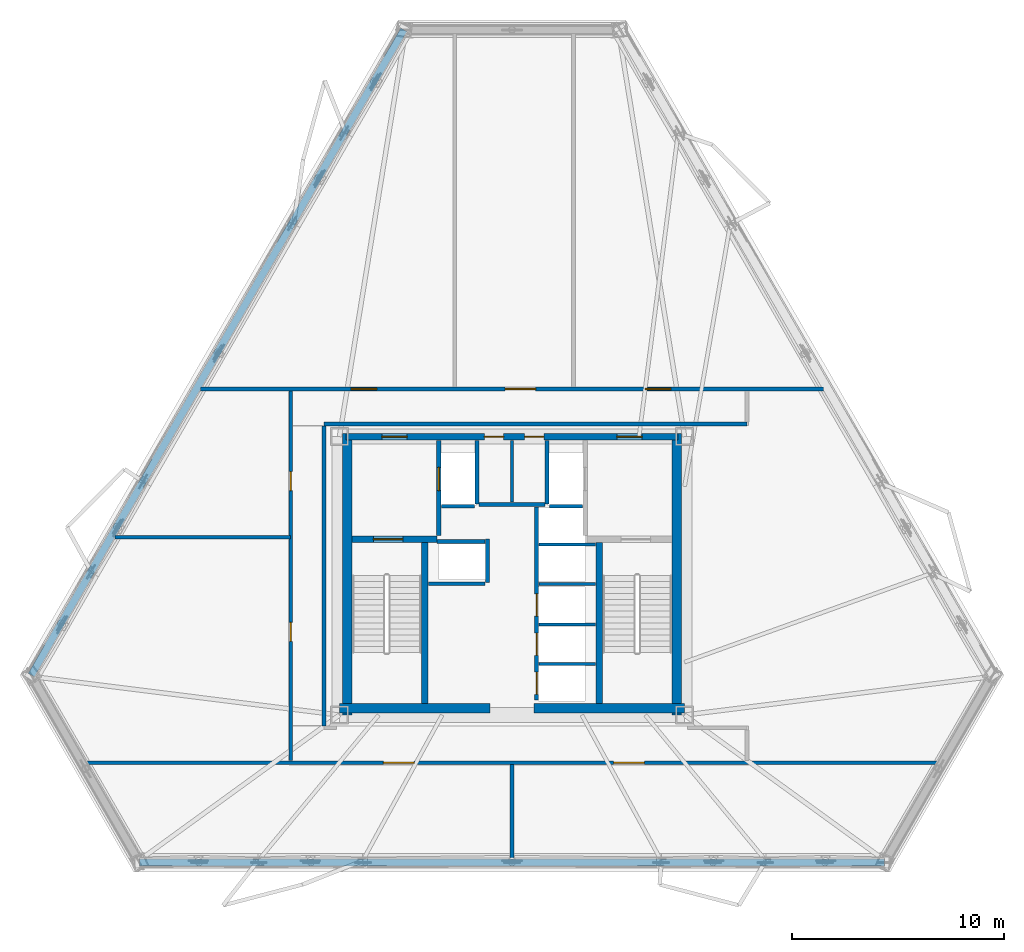
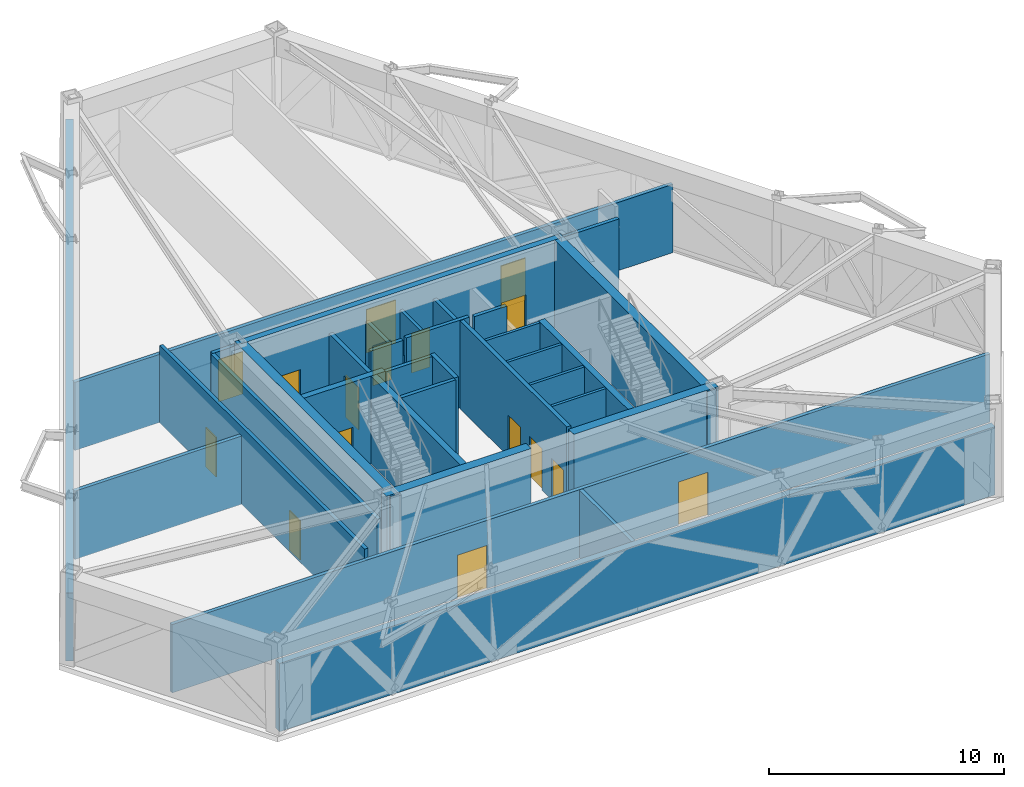
# One storey, part 7 of 11: 32 walls, 16 doors, 16 openings.
"""IFC4 building model written with IfcOpenShell, lengths in metres."""

from ifc_helpers import new_model, si_unit, direction, frame, frame_2d, origin, place, context, subcontext, project, spatial, rectangle, extrude, material, layer, layer_set, type_object, element, fill, save


model = new_model("IFC4")

# Units and contexts
model_context = context("Model", 3, precision=1e-05, world=origin(), true_north=direction((0.0, 1.0)))
body_context = subcontext(model_context, "Body", "Model", "MODEL_VIEW")
ifc_project = project(units=[si_unit("LENGTHUNIT", "METRE"), si_unit("AREAUNIT", "SQUARE_METRE"), si_unit("VOLUMEUNIT", "CUBIC_METRE"), si_unit("PLANEANGLEUNIT", "RADIAN"), si_unit("MASSUNIT", "GRAM", prefix="KILO")], contexts=[model_context])

# Site, building, storey
site_placement = place(None, origin())
site = spatial("IfcSite", under=ifc_project, at=site_placement, CompositionType="ELEMENT")
building_placement = place(site_placement, origin())
building = spatial("IfcBuilding", under=site, at=building_placement, Name="Oramaril Tower", CompositionType="ELEMENT")
storey_placement = place(building_placement, frame((0.0, 0.0, 133.800048828125)))
storey = spatial("IfcBuildingStorey", under=building, at=storey_placement, Name="L35", CompositionType="ELEMENT", Elevation=133.800048828125)

# Walls
ifc_material_1 = material(Name="Warm Cream Limestone", Category="masonry")
ifc_layer_1 = layer(ifc_material_1, 0.340087890625)
ifc_layer_set_1 = layer_set([ifc_layer_1], Name="WT-EXT34")
wall_type_1 = type_object("IfcWallType", Name="WT-EXT34", PredefinedType="SOLIDWALL", material=ifc_layer_set_1)
wall_1_placement = place(storey_placement, frame((19.9033203125, 4.040771484375, 0.0), z_axis=(0.0, 0.0, 1.0), x_axis=(1.0, 0.0, 0.0)))
element("IfcWall", 1, at=wall_1_placement, inside=storey, type_object=wall_type_1, Name="L35 Tower Limestone Facade Wall 2M", PredefinedType="SOLIDWALL", context=body_context, shape_type="SweptSolid", body=[
    extrude(rectangle(XDim=35.193359375, YDim=0.340087890625, at=frame_2d((17.5966796875, 0.0))), origin(), (0.0, 0.0, 1.0), 3.550048828125),
])
wall_2_placement = place(storey_placement, frame((32.390625, 43.368896484375, 0.0), z_axis=(0.0, 0.0, 1.0), x_axis=(-0.4999978793, -0.866026628168, 0.0)))
element("IfcWall", 2, at=wall_2_placement, inside=storey, type_object=wall_type_1, Name="L35 Tower Limestone Facade Wall 6M", PredefinedType="SOLIDWALL", context=body_context, shape_type="SweptSolid", body=[
    extrude(rectangle(XDim=35.193603515625, YDim=0.340087890625, at=frame_2d((17.5966796875, 0.0))), origin(), (0.0, 0.0, 1.0), 3.550048828125),
])
ifc_material_2 = material(Name="Acoustic Gypsum Board Partition")
ifc_layer_2 = layer(ifc_material_2, 0.139892578125)
ifc_layer_set_2 = layer_set([ifc_layer_2], Name="WT-PT14")
wall_type_2 = type_object("IfcWallType", Name="WT-PT14", PredefinedType="PARTITIONING", material=ifc_layer_set_2)
for number, where, z_axis, x_axis, name in (
    (3, (38.780029296875, 13.419921875, 0.0), (0.0, 0.0, 1.0), (1.0, 0.0, 0.0), "L35 East Lift Divider"),
    (4, (38.780029296875, 15.27001953125, 0.0), (0.0, 0.0, 1.0), (1.0, 0.0, 0.0), "L35 East Lift Divider"),
    (5, (38.780029296875, 17.199951171875, 0.0), (0.0, 0.0, 1.0), (1.0, 0.0, 0.0), "L35 East Lift Divider"),
    (6, (38.780029296875, 19.050048828125, 0.0), (0.0, 0.0, 1.0), (1.0, 0.0, 0.0), "L35 East Lift Divider"),
):
    element("IfcWall", number, at=place(storey_placement, frame(where, z_axis=z_axis, x_axis=x_axis)), inside=storey, type_object=wall_type_2, Name=name, PredefinedType="PARTITIONING", context=body_context, shape_type="SweptSolid", body=[
        extrude(rectangle(XDim=2.659912109375, YDim=0.139892578125, at=frame_2d((1.330078125, 0.0))), origin(), (0.0, 0.0, 1.0), 4.56005859375),
    ])
wall_3_placement = place(storey_placement, frame((37.5, 21.06005859375, 0.0), z_axis=(0.0, 0.0, 1.0), x_axis=(0.0, 1.0, 0.0)))
element("IfcWall", 7, at=wall_3_placement, inside=storey, type_object=wall_type_2, Name="L35 Core Service Divider", PredefinedType="PARTITIONING", context=body_context, shape_type="SweptSolid", body=[
    extrude(rectangle(XDim=2.919921875, YDim=0.139892578125, at=frame_2d((1.4599609375, 0.0))), origin(), (0.0, 0.0, 1.0), 3.599853515625),
])
ifc_material_3 = material(Name="Autoclaved Cellular Concrete Block", Category="concrete")
ifc_layer_3 = layer(ifc_material_3, 0.179931640625)
ifc_layer_set_3 = layer_set([ifc_layer_3], Name="WT-PT18")
wall_type_3 = type_object("IfcWallType", Name="WT-PT18", PredefinedType="PARTITIONING", material=ifc_layer_set_3)
wall_4_placement = place(storey_placement, frame((35.840087890625, 20.9599609375, 0.0), z_axis=(0.0, 0.0, 1.0), x_axis=(0.0, 1.0, 0.0)))
element("IfcWall", 8, at=wall_4_placement, inside=storey, type_object=wall_type_3, Name="L35 FL-1 East Shaft Wall", PredefinedType="PARTITIONING", context=body_context, shape_type="SweptSolid", body=[
    extrude(rectangle(XDim=3.02001953125, YDim=0.179931640625, at=frame_2d((1.510009765625, 0.0))), origin(), (0.0, 0.0, 1.0), 3.599853515625),
])
wall_5_placement = place(storey_placement, frame((34.159912109375, 20.860107421875, 0.0), z_axis=(0.0, 0.0, 1.0), x_axis=(1.0, 0.0, 0.0)))
element("IfcWall", 9, at=wall_5_placement, inside=storey, type_object=wall_type_3, Name="L35 FL-1 South Shaft Wall", PredefinedType="PARTITIONING", context=body_context, shape_type="SweptSolid", body=[
    extrude(rectangle(XDim=1.580078125, YDim=0.179931640625, at=frame_2d((0.7900390625, 0.0))), origin(), (0.0, 0.0, 1.0), 4.56005859375),
])
wall_6_placement = place(storey_placement, frame((39.159912109375, 20.9599609375, 0.0), z_axis=(0.0, 0.0, 1.0), x_axis=(0.0, 1.0, 0.0)))
element("IfcWall", 10, at=wall_6_placement, inside=storey, type_object=wall_type_3, Name="L35 FL-2 West Shaft Wall", PredefinedType="PARTITIONING", context=body_context, shape_type="SweptSolid", body=[
    extrude(rectangle(XDim=3.02001953125, YDim=0.179931640625, at=frame_2d((1.510009765625, 0.0))), origin(), (0.0, 0.0, 1.0), 3.599853515625),
])
wall_7_placement = place(storey_placement, frame((39.260009765625, 20.860107421875, 0.0), z_axis=(0.0, 0.0, 1.0), x_axis=(1.0, 0.0, 0.0)))
element("IfcWall", 11, at=wall_7_placement, inside=storey, type_object=wall_type_3, Name="L35 FL-2 South Shaft Wall", PredefinedType="PARTITIONING", context=body_context, shape_type="SweptSolid", body=[
    extrude(rectangle(XDim=1.580078125, YDim=0.179931640625, at=frame_2d((0.7900390625, 0.0))), origin(), (0.0, 0.0, 1.0), 4.56005859375),
])
wall_8_placement = place(storey_placement, frame((33.949951171875, 19.199951171875, 0.0), z_axis=(0.0, 0.0, 1.0), x_axis=(1.0, 0.0, 0.0)))
element("IfcWall", 12, at=wall_8_placement, inside=storey, type_object=wall_type_3, Name="L35 High-Rise Lift H1 North Shaft Wall", PredefinedType="PARTITIONING", context=body_context, shape_type="SweptSolid", body=[
    extrude(rectangle(XDim=2.27001953125, YDim=0.179931640625, at=frame_2d((1.135009765625, 0.0))), origin(), (0.0, 0.0, 1.0), 4.56005859375),
])
wall_9_placement = place(storey_placement, frame((33.56005859375, 17.199951171875, 0.0), z_axis=(0.0, 0.0, 1.0), x_axis=(1.0, 0.0, 0.0)))
element("IfcWall", 13, at=wall_9_placement, inside=storey, type_object=wall_type_3, Name="L35 High-Rise Lift H1 South Wall", PredefinedType="PARTITIONING", context=body_context, shape_type="SweptSolid", body=[
    extrude(rectangle(XDim=2.659912109375, YDim=0.179931640625, at=frame_2d((1.330078125, 0.0))), origin(), (0.0, 0.0, 1.0), 4.56005859375),
])
wall_10_placement = place(storey_placement, frame((35.949951171875, 20.949951171875, 0.0), z_axis=(0.0, 0.0, 1.0), x_axis=(1.0, 0.0, 0.0)))
element("IfcWall", 14, at=wall_10_placement, inside=storey, type_object=wall_type_3, Name="L35 Lift Lobby North Partition", PredefinedType="PARTITIONING", context=body_context, shape_type="SweptSolid", body=[
    extrude(rectangle(XDim=3.10009765625, YDim=0.179931640625, at=frame_2d((1.550048828125, 0.0))), origin(), (0.0, 0.0, 1.0), 4.56005859375),
])

# Wall, openings, doors
wall_11_placement = place(storey_placement, frame((17.38525390625, 8.75, 0.0), z_axis=(0.0, 0.0, 1.0), x_axis=(1.0, 0.0, 0.0)))
wall_11 = element("IfcWall", 15, at=wall_11_placement, inside=storey, type_object=wall_type_3, Name="L35 Interior Partition PT-18", PredefinedType="PARTITIONING", context=body_context, shape_type="SweptSolid", body=[
    extrude(rectangle(XDim=40.2294921875, YDim=0.179931640625, at=frame_2d((20.11474609375, 0.0))), origin(), (0.0, 0.0, 1.0), 3.550048828125),
])
opening_1_placement = place(wall_11_placement, frame((14.0419921875, 0.0, 0.0)))
opening_1 = element("IfcOpeningElement", 16, at=opening_1_placement, cuts=wall_11, Name="Opening D-L35-01", PredefinedType="OPENING", context=body_context, shape_type="SweptSolid", body=[
    extrude(rectangle(XDim=1.449951171875, YDim=2.25, at=frame_2d((0.72509765625, 1.125))), frame((0.0, 0.08984375, 0.0), z_axis=(0.0, -1.0, 0.0), x_axis=(1.0, 0.0, 0.0)), (0.0, 0.0, 1.0), 0.179931640625),
])
opening_2_placement = place(wall_11_placement, frame((24.913818359375, 0.0, 0.0)))
opening_2 = element("IfcOpeningElement", 17, at=opening_2_placement, cuts=wall_11, Name="Opening D-L35-02", PredefinedType="OPENING", context=body_context, shape_type="SweptSolid", body=[
    extrude(rectangle(XDim=1.449951171875, YDim=2.25, at=frame_2d((0.72509765625, 1.125))), frame((0.0, 0.08984375, 0.0), z_axis=(0.0, -1.0, 0.0), x_axis=(1.0, 0.0, 0.0)), (0.0, 0.0, 1.0), 0.179931640625),
])
ifc_material_4 = material(Name="Painted Galvanised Steel", Category="steel")
door_type_1 = type_object("IfcDoorType", Name="DT-PLT", OperationType="NOTDEFINED", PredefinedType="DOOR", material=ifc_material_4)
door_1_placement = place(opening_1_placement, origin())
door_1 = element("IfcDoor", 18, at=door_1_placement, inside=storey, type_object=door_type_1, Name="L35 L35 Chiller Plant Room Door D-L35-01", OperationType="SINGLE_SWING_RIGHT", OverallHeight=2.25, OverallWidth=1.449951171875, PredefinedType="DOOR", context=body_context, shape_type="SweptSolid", body=[
    extrude(rectangle(XDim=1.449951171875, YDim=2.25, at=frame_2d((0.72509765625, 1.125))), frame((0.0, 0.02490234375, 0.0), z_axis=(0.0, -1.0, 0.0), x_axis=(1.0, 0.0, 0.0)), (0.0, 0.0, 1.0), 0.050048828125),
])
fill(opening_1, door_1)
door_2_placement = place(opening_2_placement, origin())
door_2 = element("IfcDoor", 19, at=door_2_placement, inside=storey, type_object=door_type_1, Name="L35 L35 Air Handling Plant Room Door D-L35-02", OperationType="SINGLE_SWING_LEFT", OverallHeight=2.25, OverallWidth=1.449951171875, PredefinedType="DOOR", context=body_context, shape_type="SweptSolid", body=[
    extrude(rectangle(XDim=1.449951171875, YDim=2.25, at=frame_2d((0.72509765625, 1.125))), frame((0.0, 0.02490234375, 0.0), z_axis=(0.0, -1.0, 0.0), x_axis=(1.0, 0.0, 0.0)), (0.0, 0.0, 1.0), 0.050048828125),
])
fill(opening_2, door_2)

# Walls
wall_12_placement = place(storey_placement, frame((18.753173828125, 19.39990234375, 0.0), z_axis=(0.0, 0.0, 1.0), x_axis=(1.0, 0.0, 0.0)))
element("IfcWall", 20, at=wall_12_placement, inside=storey, type_object=wall_type_3, Name="L35 Interior Partition PT-18", PredefinedType="PARTITIONING", context=body_context, shape_type="SweptSolid", body=[
    extrude(rectangle(XDim=8.296875, YDim=0.179931640625, at=frame_2d((4.1484375, 0.0))), origin(), (0.0, 0.0, 1.0), 3.550048828125),
])
wall_13_placement = place(storey_placement, frame((28.6201171875, 24.75, 0.0), z_axis=(0.0, 0.0, 1.0), x_axis=(1.0, 0.0, 0.0)))
element("IfcWall", 21, at=wall_13_placement, inside=storey, type_object=wall_type_3, Name="L35 Interior Partition PT-18", PredefinedType="PARTITIONING", context=body_context, shape_type="SweptSolid", body=[
    extrude(rectangle(XDim=19.97998046875, YDim=0.179931640625, at=frame_2d((9.989990234375, 0.0))), origin(), (0.0, 0.0, 1.0), 4.013916015625),
])

# Wall, openings, doors
wall_14_placement = place(storey_placement, frame((22.794677734375, 26.39990234375, 0.0), z_axis=(0.0, 0.0, 1.0), x_axis=(1.0, 0.0, 0.0)))
wall_14 = element("IfcWall", 22, at=wall_14_placement, inside=storey, type_object=wall_type_3, Name="L35 Interior Partition PT-18", PredefinedType="PARTITIONING", context=body_context, shape_type="SweptSolid", body=[
    extrude(rectangle(XDim=29.41064453125, YDim=0.179931640625, at=frame_2d((14.705322265625, 0.0))), origin(), (0.0, 0.0, 1.0), 3.550048828125),
])
opening_3_placement = place(wall_14_placement, frame((7.11181640625, 0.0, 0.0)))
opening_3 = element("IfcOpeningElement", 23, at=opening_3_placement, cuts=wall_14, Name="Opening D-L35-03", PredefinedType="OPENING", context=body_context, shape_type="SweptSolid", body=[
    extrude(rectangle(XDim=1.199951171875, YDim=2.199951171875, at=frame_2d((0.60009765625, 1.10009765625))), frame((0.0, 0.08984375, 0.0), z_axis=(0.0, -1.0, 0.0), x_axis=(1.0, 0.0, 0.0)), (0.0, 0.0, 1.0), 0.179931640625),
])
opening_4_placement = place(wall_14_placement, frame((14.375244140625, 0.0, 0.0)))
opening_4 = element("IfcOpeningElement", 24, at=opening_4_placement, cuts=wall_14, Name="Opening D-L35-04", PredefinedType="OPENING", context=body_context, shape_type="SweptSolid", body=[
    extrude(rectangle(XDim=1.449951171875, YDim=2.25, at=frame_2d((0.72509765625, 1.125))), frame((0.0, 0.08984375, 0.0), z_axis=(0.0, -1.0, 0.0), x_axis=(1.0, 0.0, 0.0)), (0.0, 0.0, 1.0), 0.179931640625),
])
opening_5_placement = place(wall_14_placement, frame((21.005126953125, 0.0, 0.0)))
opening_5 = element("IfcOpeningElement", 25, at=opening_5_placement, cuts=wall_14, Name="Opening D-L35-05", PredefinedType="OPENING", context=body_context, shape_type="SweptSolid", body=[
    extrude(rectangle(XDim=1.199951171875, YDim=2.199951171875, at=frame_2d((0.60009765625, 1.10009765625))), frame((0.0, 0.08984375, 0.0), z_axis=(0.0, -1.0, 0.0), x_axis=(1.0, 0.0, 0.0)), (0.0, 0.0, 1.0), 0.179931640625),
])
ifc_material_5 = material(Name="Painted Galvanised Steel", Category="steel")
door_type_2 = type_object("IfcDoorType", Name="DT-FFL", OperationType="NOTDEFINED", PredefinedType="DOOR", material=ifc_material_5)
door_3_placement = place(opening_3_placement, origin())
door_3 = element("IfcDoor", 26, at=door_3_placement, inside=storey, type_object=door_type_2, Name="L35 L35 West Refuge Area Door D-L35-03", OperationType="SINGLE_SWING_RIGHT", OverallHeight=2.199951171875, OverallWidth=1.199951171875, PredefinedType="DOOR", context=body_context, shape_type="SweptSolid", body=[
    extrude(rectangle(XDim=1.199951171875, YDim=2.199951171875, at=frame_2d((0.60009765625, 1.10009765625))), frame((0.0, 0.02490234375, 0.0), z_axis=(0.0, -1.0, 0.0), x_axis=(1.0, 0.0, 0.0)), (0.0, 0.0, 1.0), 0.050048828125),
])
fill(opening_3, door_3)
door_4_placement = place(opening_5_placement, origin())
door_4 = element("IfcDoor", 27, at=door_4_placement, inside=storey, type_object=door_type_2, Name="L35 L35 East Refuge Area Door D-L35-05", OperationType="SINGLE_SWING_RIGHT", OverallHeight=2.199951171875, OverallWidth=1.199951171875, PredefinedType="DOOR", context=body_context, shape_type="SweptSolid", body=[
    extrude(rectangle(XDim=1.199951171875, YDim=2.199951171875, at=frame_2d((0.60009765625, 1.10009765625))), frame((0.0, 0.02490234375, 0.0), z_axis=(0.0, -1.0, 0.0), x_axis=(1.0, 0.0, 0.0)), (0.0, 0.0, 1.0), 0.050048828125),
])
fill(opening_5, door_4)
door_5_placement = place(opening_4_placement, origin())
door_5 = element("IfcDoor", 28, at=door_5_placement, inside=storey, type_object=door_type_1, Name="L35 L35 Stair Pressurisation Plant Room Door D-L35-04", OperationType="SINGLE_SWING_LEFT", OverallHeight=2.25, OverallWidth=1.449951171875, PredefinedType="DOOR", context=body_context, shape_type="SweptSolid", body=[
    extrude(rectangle(XDim=1.449951171875, YDim=2.25, at=frame_2d((0.72509765625, 1.125))), frame((0.0, 0.02490234375, 0.0), z_axis=(0.0, -1.0, 0.0), x_axis=(1.0, 0.0, 0.0)), (0.0, 0.0, 1.0), 0.050048828125),
])
fill(opening_4, door_5)

wall_15_placement = place(storey_placement, frame((27.050048828125, 8.843994140625, 0.0), z_axis=(0.0, 0.0, 1.0), x_axis=(0.0, 1.0, 0.0)))
wall_15 = element("IfcWall", 29, at=wall_15_placement, inside=storey, type_object=wall_type_3, Name="L35 Interior Partition PT-18", PredefinedType="PARTITIONING", context=body_context, shape_type="SweptSolid", body=[
    extrude(rectangle(XDim=17.4619140625, YDim=0.179931640625, at=frame_2d((8.73095703125, 0.0))), origin(), (0.0, 0.0, 1.0), 4.013916015625),
])
opening_6_placement = place(wall_15_placement, frame((5.632080078125, 0.0, 0.0)))
opening_6 = element("IfcOpeningElement", 30, at=opening_6_placement, cuts=wall_15, Name="Opening D-L35-06", PredefinedType="OPENING", context=body_context, shape_type="SweptSolid", body=[
    extrude(rectangle(XDim=0.89990234375, YDim=2.050048828125, at=frame_2d((0.449951171875, 1.02490234375))), frame((0.0, 0.08984375, 0.0), z_axis=(0.0, -1.0, 0.0), x_axis=(1.0, 0.0, 0.0)), (0.0, 0.0, 1.0), 0.179931640625),
])
opening_7_placement = place(wall_15_placement, frame((12.7548828125, 0.0, 0.0)))
opening_7 = element("IfcOpeningElement", 31, at=opening_7_placement, cuts=wall_15, Name="Opening D-L35-07", PredefinedType="OPENING", context=body_context, shape_type="SweptSolid", body=[
    extrude(rectangle(XDim=0.89990234375, YDim=2.050048828125, at=frame_2d((0.449951171875, 1.02490234375))), frame((0.0, 0.08984375, 0.0), z_axis=(0.0, -1.0, 0.0), x_axis=(1.0, 0.0, 0.0)), (0.0, 0.0, 1.0), 0.179931640625),
])
ifc_material_6 = material(Name="Painted Galvanised Steel", Category="steel")
door_type_3 = type_object("IfcDoorType", Name="DT-SVC", OperationType="NOTDEFINED", PredefinedType="DOOR", material=ifc_material_6)
door_6_placement = place(opening_6_placement, origin())
door_6 = element("IfcDoor", 32, at=door_6_placement, inside=storey, type_object=door_type_3, Name="L35 L35 Water Booster Plant Room Door D-L35-06", OperationType="SINGLE_SWING_LEFT", OverallHeight=2.050048828125, OverallWidth=0.89990234375, PredefinedType="DOOR", context=body_context, shape_type="SweptSolid", body=[
    extrude(rectangle(XDim=0.89990234375, YDim=2.050048828125, at=frame_2d((0.449951171875, 1.02490234375))), frame((0.0, 0.02490234375, 0.0), z_axis=(0.0, -1.0, 0.0), x_axis=(1.0, 0.0, 0.0)), (0.0, 0.0, 1.0), 0.050048828125),
])
fill(opening_6, door_6)
door_7_placement = place(opening_7_placement, origin())
door_7 = element("IfcDoor", 33, at=door_7_placement, inside=storey, type_object=door_type_3, Name="L35 L35 BMS and Controls Plant Room Door D-L35-07", OperationType="SINGLE_SWING_RIGHT", OverallHeight=2.050048828125, OverallWidth=0.89990234375, PredefinedType="DOOR", context=body_context, shape_type="SweptSolid", body=[
    extrude(rectangle(XDim=0.89990234375, YDim=2.050048828125, at=frame_2d((0.449951171875, 1.02490234375))), frame((0.0, 0.02490234375, 0.0), z_axis=(0.0, -1.0, 0.0), x_axis=(1.0, 0.0, 0.0)), (0.0, 0.0, 1.0), 0.050048828125),
])
fill(opening_7, door_7)

# Walls
wall_16_placement = place(storey_placement, frame((28.6201171875, 10.493896484375, 0.0), z_axis=(0.0, 0.0, 1.0), x_axis=(0.0, 1.0, 0.0)))
element("IfcWall", 34, at=wall_16_placement, inside=storey, type_object=wall_type_3, Name="L35 Interior Partition PT-18", PredefinedType="PARTITIONING", context=body_context, shape_type="SweptSolid", body=[
    extrude(rectangle(XDim=14.162109375, YDim=0.179931640625, at=frame_2d((7.0810546875, 0.0))), origin(), (0.0, 0.0, 1.0), 4.013916015625),
])
wall_17_placement = place(storey_placement, frame((37.5, 4.214599609375, 0.0), z_axis=(0.0, 0.0, 1.0), x_axis=(0.0, 1.0, 0.0)))
element("IfcWall", 35, at=wall_17_placement, inside=storey, type_object=wall_type_3, Name="L35 Interior Partition PT-18", PredefinedType="PARTITIONING", context=body_context, shape_type="SweptSolid", body=[
    extrude(rectangle(XDim=4.44140625, YDim=0.179931640625, at=frame_2d((2.220703125, 0.0))), origin(), (0.0, 0.0, 1.0), 3.550048828125),
])

# Wall, openings, doors
ifc_material_7 = material(Name="Concrete C50/60", Category="concrete")
ifc_layer_4 = layer(ifc_material_7, 0.300048828125)
ifc_layer_set_4 = layer_set([ifc_layer_4], Name="WT-SH30")
wall_type_4 = type_object("IfcWallType", Name="WT-SH30", PredefinedType="SHEAR", material=ifc_layer_set_4)
wall_18_placement = place(storey_placement, frame((29.64990234375, 24.14990234375, 0.0), z_axis=(0.0, 0.0, 1.0), x_axis=(1.0, 0.0, 0.0)))
wall_18 = element("IfcWall", 36, at=wall_18_placement, inside=storey, type_object=wall_type_4, Name="L35 Core Shear Wall CW-N", PredefinedType="SHEAR", context=body_context, shape_type="SweptSolid", body=[
    extrude(rectangle(XDim=15.7001953125, YDim=0.300048828125, at=frame_2d((7.85009765625, 0.0))), origin(), (0.0, 0.0, 1.0), 4.56005859375),
])
opening_8_placement = place(wall_18_placement, frame((1.699951171875, 0.0, 0.0)))
opening_8 = element("IfcOpeningElement", 37, at=opening_8_placement, cuts=wall_18, Name="Opening D-L35-FFL1", PredefinedType="OPENING", context=body_context, shape_type="SweptSolid", body=[
    extrude(rectangle(XDim=1.199951171875, YDim=2.199951171875, at=frame_2d((0.60009765625, 1.10009765625))), frame((0.0, 0.14990234375, 0.0), z_axis=(0.0, -1.0, 0.0), x_axis=(1.0, 0.0, 0.0)), (0.0, 0.0, 1.0), 0.300048828125),
])
opening_9_placement = place(wall_18_placement, frame((12.800048828125, 0.0, 0.0)))
opening_9 = element("IfcOpeningElement", 38, at=opening_9_placement, cuts=wall_18, Name="Opening D-L35-FFL2", PredefinedType="OPENING", context=body_context, shape_type="SweptSolid", body=[
    extrude(rectangle(XDim=1.199951171875, YDim=2.199951171875, at=frame_2d((0.60009765625, 1.10009765625))), frame((0.0, 0.14990234375, 0.0), z_axis=(0.0, -1.0, 0.0), x_axis=(1.0, 0.0, 0.0)), (0.0, 0.0, 1.0), 0.300048828125),
])
opening_10_placement = place(wall_18_placement, frame((6.550048828125, 0.0, 0.0)))
opening_10 = element("IfcOpeningElement", 39, at=opening_10_placement, cuts=wall_18, Name="Opening D-L35-SV1", PredefinedType="OPENING", context=body_context, shape_type="SweptSolid", body=[
    extrude(rectangle(XDim=0.89990234375, YDim=2.050048828125, at=frame_2d((0.449951171875, 1.02490234375))), frame((0.0, 0.14990234375, 0.0), z_axis=(0.0, -1.0, 0.0), x_axis=(1.0, 0.0, 0.0)), (0.0, 0.0, 1.0), 0.300048828125),
])
opening_11_placement = place(wall_18_placement, frame((8.449951171875, 0.0, 0.0)))
opening_11 = element("IfcOpeningElement", 40, at=opening_11_placement, cuts=wall_18, Name="Opening D-L35-SV2", PredefinedType="OPENING", context=body_context, shape_type="SweptSolid", body=[
    extrude(rectangle(XDim=0.89990234375, YDim=2.050048828125, at=frame_2d((0.449951171875, 1.02490234375))), frame((0.0, 0.14990234375, 0.0), z_axis=(0.0, -1.0, 0.0), x_axis=(1.0, 0.0, 0.0)), (0.0, 0.0, 1.0), 0.300048828125),
])
door_8_placement = place(opening_8_placement, origin())
door_8 = element("IfcDoor", 41, at=door_8_placement, inside=storey, type_object=door_type_2, Name="L35 Firefighting Lobby 1 Fire Door", OperationType="SINGLE_SWING_LEFT", OverallHeight=2.199951171875, OverallWidth=1.199951171875, PredefinedType="DOOR", context=body_context, shape_type="SweptSolid", body=[
    extrude(rectangle(XDim=1.199951171875, YDim=2.199951171875, at=frame_2d((0.60009765625, 1.10009765625))), frame((0.0, 0.02490234375, 0.0), z_axis=(0.0, -1.0, 0.0), x_axis=(1.0, 0.0, 0.0)), (0.0, 0.0, 1.0), 0.050048828125),
])
fill(opening_8, door_8)
door_9_placement = place(opening_9_placement, origin())
door_9 = element("IfcDoor", 42, at=door_9_placement, inside=storey, type_object=door_type_2, Name="L35 Firefighting Lobby 2 Fire Door", OperationType="SINGLE_SWING_RIGHT", OverallHeight=2.199951171875, OverallWidth=1.199951171875, PredefinedType="DOOR", context=body_context, shape_type="SweptSolid", body=[
    extrude(rectangle(XDim=1.199951171875, YDim=2.199951171875, at=frame_2d((0.60009765625, 1.10009765625))), frame((0.0, 0.02490234375, 0.0), z_axis=(0.0, -1.0, 0.0), x_axis=(1.0, 0.0, 0.0)), (0.0, 0.0, 1.0), 0.050048828125),
])
fill(opening_9, door_9)
door_10_placement = place(opening_10_placement, origin())
door_10 = element("IfcDoor", 43, at=door_10_placement, inside=storey, type_object=door_type_3, Name="L35 Core Service Store 1 Door", OperationType="SINGLE_SWING_LEFT", OverallHeight=2.050048828125, OverallWidth=0.89990234375, PredefinedType="DOOR", context=body_context, shape_type="SweptSolid", body=[
    extrude(rectangle(XDim=0.89990234375, YDim=2.050048828125, at=frame_2d((0.449951171875, 1.02490234375))), frame((0.0, 0.02490234375, 0.0), z_axis=(0.0, -1.0, 0.0), x_axis=(1.0, 0.0, 0.0)), (0.0, 0.0, 1.0), 0.050048828125),
])
fill(opening_10, door_10)
door_11_placement = place(opening_11_placement, origin())
door_11 = element("IfcDoor", 44, at=door_11_placement, inside=storey, type_object=door_type_3, Name="L35 Core Service Store 2 Door", OperationType="SINGLE_SWING_RIGHT", OverallHeight=2.050048828125, OverallWidth=0.89990234375, PredefinedType="DOOR", context=body_context, shape_type="SweptSolid", body=[
    extrude(rectangle(XDim=0.89990234375, YDim=2.050048828125, at=frame_2d((0.449951171875, 1.02490234375))), frame((0.0, 0.02490234375, 0.0), z_axis=(0.0, -1.0, 0.0), x_axis=(1.0, 0.0, 0.0)), (0.0, 0.0, 1.0), 0.050048828125),
])
fill(opening_11, door_11)

# Wall, opening, door
wall_19_placement = place(storey_placement, frame((29.93994140625, 19.31005859375, 0.0), z_axis=(0.0, 0.0, 1.0), x_axis=(1.0, 0.0, 0.0)))
wall_19 = element("IfcWall", 45, at=wall_19_placement, inside=storey, type_object=wall_type_4, Name="L35 Core Shear Wall CW-ST1N", PredefinedType="SHEAR", context=body_context, shape_type="SweptSolid", body=[
    extrude(rectangle(XDim=4.010009765625, YDim=0.300048828125, at=frame_2d((2.0048828125, 0.0))), origin(), (0.0, 0.0, 1.0), 4.56005859375),
])
opening_12_placement = place(wall_19_placement, frame((1.010009765625, 0.0, 0.0)))
opening_12 = element("IfcOpeningElement", 46, at=opening_12_placement, cuts=wall_19, Name="Opening D-L35-ST1", PredefinedType="OPENING", context=body_context, shape_type="SweptSolid", body=[
    extrude(rectangle(XDim=1.39990234375, YDim=2.199951171875, at=frame_2d((0.699951171875, 1.10009765625))), frame((0.0, 0.14990234375, 0.0), z_axis=(0.0, -1.0, 0.0), x_axis=(1.0, 0.0, 0.0)), (0.0, 0.0, 1.0), 0.300048828125),
])
ifc_material_8 = material(Name="Painted Galvanised Steel", Category="steel")
door_type_4 = type_object("IfcDoorType", Name="DT-ST", OperationType="NOTDEFINED", PredefinedType="DOOR", material=ifc_material_8)
door_12_placement = place(opening_12_placement, origin())
door_12 = element("IfcDoor", 47, at=door_12_placement, inside=storey, type_object=door_type_4, Name="L35 Protected Stair ST-1 Fire Door", OperationType="SINGLE_SWING_LEFT", OverallHeight=2.199951171875, OverallWidth=1.39990234375, PredefinedType="DOOR", context=body_context, shape_type="SweptSolid", body=[
    extrude(rectangle(XDim=1.39990234375, YDim=2.199951171875, at=frame_2d((0.699951171875, 1.10009765625))), frame((0.0, 0.02490234375, 0.0), z_axis=(0.0, -1.0, 0.0), x_axis=(1.0, 0.0, 0.0)), (0.0, 0.0, 1.0), 0.050048828125),
])
fill(opening_12, door_12)

# Walls
for number, where, z_axis, x_axis, name in (
    (48, (33.3798828125, 11.5400390625, 0.0), (0.0, 0.0, 1.0), (0.0, 1.0, 0.0), "L35 Core Shear Wall CW-ST1E"),
    (49, (41.6201171875, 11.5400390625, 0.0), (0.0, 0.0, 1.0), (0.0, 1.0, 0.0), "L35 Core Shear Wall CW-ST2W"),
):
    element("IfcWall", number, at=place(storey_placement, frame(where, z_axis=z_axis, x_axis=x_axis)), inside=storey, type_object=wall_type_4, Name=name, PredefinedType="SHEAR", context=body_context, shape_type="SweptSolid", body=[
        extrude(rectangle(XDim=7.619873046875, YDim=0.300048828125, at=frame_2d((3.81005859375, 0.0))), origin(), (0.0, 0.0, 1.0), 4.56005859375),
    ])
ifc_material_9 = material(Name="Concrete C50/60", Category="concrete")
ifc_layer_5 = layer(ifc_material_9, 0.449951171875)
ifc_layer_set_5 = layer_set([ifc_layer_5], Name="WT-SH45")
wall_type_5 = type_object("IfcWallType", Name="WT-SH45", PredefinedType="SHEAR", material=ifc_layer_set_5)
for number, where, z_axis, x_axis, name in (
    (50, (29.715087890625, 11.0, 0.0), (0.0, 0.0, 1.0), (0.0, 1.0, 0.0), "L35 Core Shear Wall CW-W"),
    (51, (45.284912109375, 11.0, 0.0), (0.0, 0.0, 1.0), (0.0, 1.0, 0.0), "L35 Core Shear Wall CW-E"),
):
    element("IfcWall", number, at=place(storey_placement, frame(where, z_axis=z_axis, x_axis=x_axis)), inside=storey, type_object=wall_type_5, Name=name, PredefinedType="SHEAR", context=body_context, shape_type="SweptSolid", body=[
        extrude(rectangle(XDim=13.300048828125, YDim=0.449951171875, at=frame_2d((6.64990234375, 0.0))), origin(), (0.0, 0.0, 1.0), 4.56005859375),
    ])
for number, where, z_axis, x_axis, name in (
    (52, (29.35009765625, 11.31494140625, 0.0), (0.0, 0.0, 1.0), (1.0, 0.0, 0.0), "L35 Core Shear Wall CW-SW"),
    (53, (38.550048828125, 11.31494140625, 0.0), (0.0, 0.0, 1.0), (1.0, 0.0, 0.0), "L35 Core Shear Wall CW-SE"),
):
    element("IfcWall", number, at=place(storey_placement, frame(where, z_axis=z_axis, x_axis=x_axis)), inside=storey, type_object=wall_type_5, Name=name, PredefinedType="SHEAR", context=body_context, shape_type="SweptSolid", body=[
        extrude(rectangle(XDim=7.099853515625, YDim=0.449951171875, at=frame_2d((3.5498046875, 0.0))), origin(), (0.0, 0.0, 1.0), 4.56005859375),
    ])

# Wall, opening, door
ifc_material_10 = material(Name="Autoclaved Cellular Concrete Block", Category="concrete")
ifc_layer_6 = layer(ifc_material_10, 0.199951171875)
ifc_layer_set_6 = layer_set([ifc_layer_6], Name="WT-SHF20")
wall_type_6 = type_object("IfcWallType", Name="WT-SHF20", PredefinedType="PARTITIONING", material=ifc_layer_set_6)
wall_20_placement = place(storey_placement, frame((34.0400390625, 19.47998046875, 0.0), z_axis=(0.0, 0.0, 1.0), x_axis=(0.0, 1.0, 0.0)))
wall_20 = element("IfcWall", 54, at=wall_20_placement, inside=storey, type_object=wall_type_6, Name="L35 FL-1 Lobby Shaft Wall", PredefinedType="PARTITIONING", context=body_context, shape_type="SweptSolid", body=[
    extrude(rectangle(XDim=4.5, YDim=0.199951171875, at=frame_2d((2.25, 0.0))), origin(), (0.0, 0.0, 1.0), 3.599853515625),
])
opening_13_placement = place(wall_20_placement, frame((2.1201171875, 0.0, 0.0)))
opening_13 = element("IfcOpeningElement", 55, at=opening_13_placement, cuts=wall_20, Name="Opening LD-L35-FL-1", PredefinedType="OPENING", context=body_context, shape_type="SweptSolid", body=[
    extrude(rectangle(XDim=1.10009765625, YDim=2.199951171875, at=frame_2d((0.550048828125, 1.10009765625))), frame((0.0, 0.10009765625, 0.0), z_axis=(0.0, -1.0, 0.0), x_axis=(1.0, 0.0, 0.0)), (0.0, 0.0, 1.0), 0.199951171875),
])
ifc_material_11 = material(Name="Stainless Steel 316L", Category="steel")
door_type_5 = type_object("IfcDoorType", Name="DT-LD1", OperationType="NOTDEFINED", PredefinedType="DOOR", material=ifc_material_11)
door_13_placement = place(opening_13_placement, origin())
door_13 = element("IfcDoor", 56, at=door_13_placement, inside=storey, type_object=door_type_5, Name="L35 Lift FL-1 Sliding Landing Door", OperationType="SLIDING_TO_LEFT", OverallHeight=2.199951171875, OverallWidth=1.10009765625, PredefinedType="DOOR", context=body_context, shape_type="SweptSolid", body=[
    extrude(rectangle(XDim=1.10009765625, YDim=2.199951171875, at=frame_2d((0.550048828125, 1.10009765625))), frame((0.0, 0.02490234375, 0.0), z_axis=(0.0, -1.0, 0.0), x_axis=(1.0, 0.0, 0.0)), (0.0, 0.0, 1.0), 0.050048828125),
])
fill(opening_13, door_13)

# Wall
wall_21_placement = place(storey_placement, frame((36.340087890625, 17.25, 0.0), z_axis=(0.0, 0.0, 1.0), x_axis=(0.0, 1.0, 0.0)))
element("IfcWall", 57, at=wall_21_placement, inside=storey, type_object=wall_type_6, Name="L35 High-Rise Lift H1 Front Wall", PredefinedType="PARTITIONING", context=body_context, shape_type="SweptSolid", body=[
    extrude(rectangle(XDim=2.070068359375, YDim=0.199951171875, at=frame_2d((1.03515625, 0.0))), origin(), (0.0, 0.0, 1.0), 4.56005859375),
])

# Wall, openings, doors
wall_22_placement = place(storey_placement, frame((38.659912109375, 11.719970703125, 0.0), z_axis=(0.0, 0.0, 1.0), x_axis=(0.0, 1.0, 0.0)))
wall_22 = element("IfcWall", 58, at=wall_22_placement, inside=storey, type_object=wall_type_6, Name="L35 East Lift Bank Front Wall", PredefinedType="PARTITIONING", context=body_context, shape_type="SweptSolid", body=[
    extrude(rectangle(XDim=9.10009765625, YDim=0.199951171875, at=frame_2d((4.550048828125, 0.0))), origin(), (0.0, 0.0, 1.0), 4.56005859375),
])
opening_14_placement = place(wall_22_placement, frame((0.2548828125, 0.0, 0.0)))
opening_14 = element("IfcOpeningElement", 59, at=opening_14_placement, cuts=wall_22, Name="Opening LD-L35-LP-M1", PredefinedType="OPENING", context=body_context, shape_type="SweptSolid", body=[
    extrude(rectangle(XDim=1.050048828125, YDim=2.14990234375, at=frame_2d((0.52490234375, 1.074951171875))), frame((0.0, 0.10009765625, 0.0), z_axis=(0.0, -1.0, 0.0), x_axis=(1.0, 0.0, 0.0)), (0.0, 0.0, 1.0), 0.199951171875),
])
opening_15_placement = place(wall_22_placement, frame((2.10498046875, 0.0, 0.0)))
opening_15 = element("IfcOpeningElement", 60, at=opening_15_placement, cuts=wall_22, Name="Opening LD-L35-LP-M2", PredefinedType="OPENING", context=body_context, shape_type="SweptSolid", body=[
    extrude(rectangle(XDim=1.050048828125, YDim=2.14990234375, at=frame_2d((0.52490234375, 1.074951171875))), frame((0.0, 0.10009765625, 0.0), z_axis=(0.0, -1.0, 0.0), x_axis=(1.0, 0.0, 0.0)), (0.0, 0.0, 1.0), 0.199951171875),
])
opening_16_placement = place(wall_22_placement, frame((3.955078125, 0.0, 0.0)))
opening_16 = element("IfcOpeningElement", 61, at=opening_16_placement, cuts=wall_22, Name="Opening LD-L35-LP-M3", PredefinedType="OPENING", context=body_context, shape_type="SweptSolid", body=[
    extrude(rectangle(XDim=1.050048828125, YDim=2.14990234375, at=frame_2d((0.52490234375, 1.074951171875))), frame((0.0, 0.10009765625, 0.0), z_axis=(0.0, -1.0, 0.0), x_axis=(1.0, 0.0, 0.0)), (0.0, 0.0, 1.0), 0.199951171875),
])
ifc_material_12 = material(Name="Stainless Steel 316L", Category="steel")
door_type_6 = type_object("IfcDoorType", Name="DT-LD2", OperationType="NOTDEFINED", PredefinedType="DOOR", material=ifc_material_12)
door_14_placement = place(opening_14_placement, origin())
door_14 = element("IfcDoor", 62, at=door_14_placement, inside=storey, type_object=door_type_6, Name="L35 Lift LP-M1 Sliding Landing Door", OperationType="SLIDING_TO_RIGHT", OverallHeight=2.14990234375, OverallWidth=1.050048828125, PredefinedType="DOOR", context=body_context, shape_type="SweptSolid", body=[
    extrude(rectangle(XDim=1.050048828125, YDim=2.14990234375, at=frame_2d((0.52490234375, 1.074951171875))), frame((0.0, 0.02490234375, 0.0), z_axis=(0.0, -1.0, 0.0), x_axis=(1.0, 0.0, 0.0)), (0.0, 0.0, 1.0), 0.050048828125),
])
fill(opening_14, door_14)
door_15_placement = place(opening_15_placement, origin())
door_15 = element("IfcDoor", 63, at=door_15_placement, inside=storey, type_object=door_type_6, Name="L35 Lift LP-M2 Sliding Landing Door", OperationType="SLIDING_TO_LEFT", OverallHeight=2.14990234375, OverallWidth=1.050048828125, PredefinedType="DOOR", context=body_context, shape_type="SweptSolid", body=[
    extrude(rectangle(XDim=1.050048828125, YDim=2.14990234375, at=frame_2d((0.52490234375, 1.074951171875))), frame((0.0, 0.02490234375, 0.0), z_axis=(0.0, -1.0, 0.0), x_axis=(1.0, 0.0, 0.0)), (0.0, 0.0, 1.0), 0.050048828125),
])
fill(opening_15, door_15)
door_16_placement = place(opening_16_placement, origin())
door_16 = element("IfcDoor", 64, at=door_16_placement, inside=storey, type_object=door_type_6, Name="L35 Lift LP-M3 Sliding Landing Door", OperationType="SLIDING_TO_RIGHT", OverallHeight=2.14990234375, OverallWidth=1.050048828125, PredefinedType="DOOR", context=body_context, shape_type="SweptSolid", body=[
    extrude(rectangle(XDim=1.050048828125, YDim=2.14990234375, at=frame_2d((0.52490234375, 1.074951171875))), frame((0.0, 0.02490234375, 0.0), z_axis=(0.0, -1.0, 0.0), x_axis=(1.0, 0.0, 0.0)), (0.0, 0.0, 1.0), 0.050048828125),
])
fill(opening_16, door_16)

save(model, "model.ifc")
